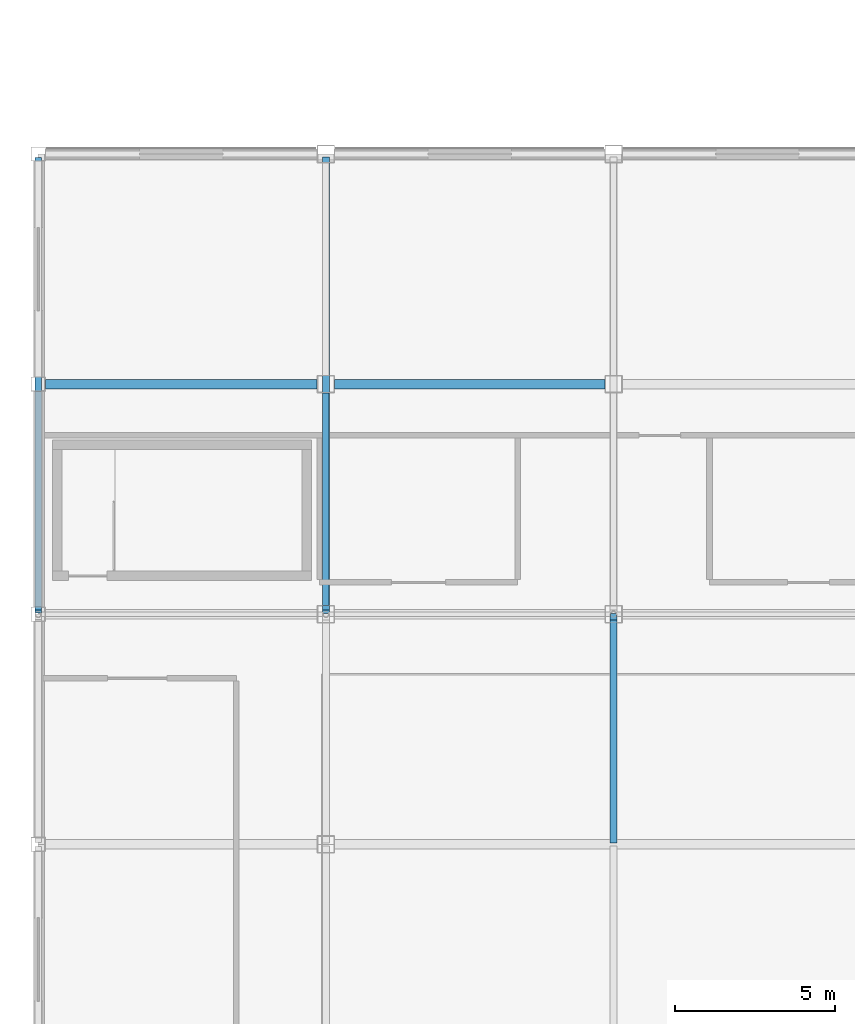
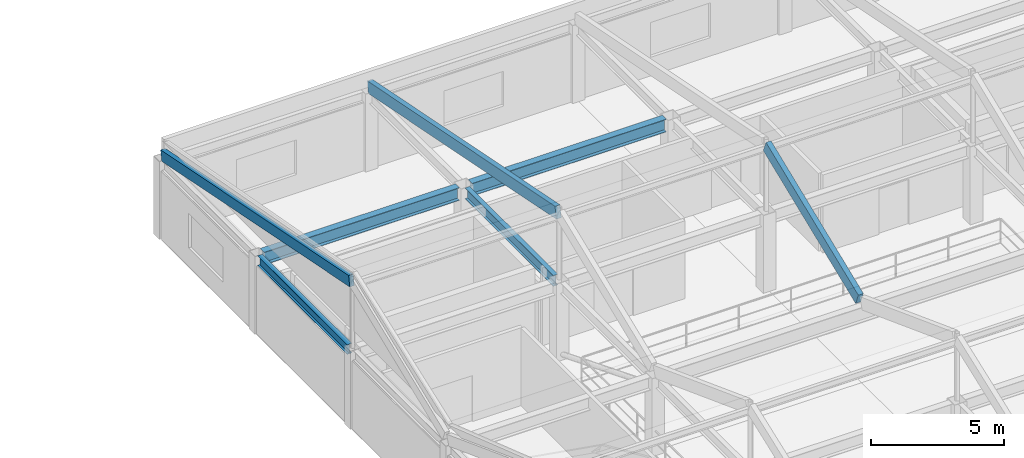
# One storey, part 18 of 113: 4 beams, 3 members.
"""IFC4 building model written with IfcOpenShell, lengths in metres."""

from ifc_helpers import new_model, si_unit, direction, frame, origin, origin_2d, place, context, subcontext, project, spatial, rectangle, i_section, extrude, material, material_profile, profile_set, type_object, element, save


model = new_model("IFC4")

# Units and contexts
model_context = context("Model", 3, precision=1e-05, world=origin(), true_north=direction((0.0, 1.0)))
body_context = subcontext(model_context, "Body", "Model", "MODEL_VIEW")
ifc_project = project(units=[si_unit("LENGTHUNIT", "METRE"), si_unit("AREAUNIT", "SQUARE_METRE"), si_unit("VOLUMEUNIT", "CUBIC_METRE"), si_unit("PLANEANGLEUNIT", "RADIAN"), si_unit("MASSUNIT", "GRAM", prefix="KILO")], contexts=[model_context])

# Site, building, storey
site_placement = place(None, origin())
site = spatial("IfcSite", under=ifc_project, at=site_placement, CompositionType="ELEMENT")
building_placement = place(site_placement, origin())
building = spatial("IfcBuilding", under=site, at=building_placement, Name="Kazanami Central Library", CompositionType="ELEMENT")
storey_placement = place(building_placement, frame((0.0, 0.0, 8.800048828125)))
storey = spatial("IfcBuildingStorey", under=building, at=storey_placement, Name="L03", CompositionType="ELEMENT", Elevation=8.800048828125)

# Beams
ifc_material_1 = material(Name="Steel SN490B (325 MPa)", Category="steel")
ifc_material_profile_1 = material_profile(ifc_material_1, i_section(OverallWidth=0.300048828125, OverallDepth=0.587890625, WebThickness=0.011962890625, FlangeThickness=0.02001953125, at=origin_2d()), Name="H-588x300x12x20")
ifc_profile_set_1 = profile_set([ifc_material_profile_1], Name="Steel SN490B (325 MPa)")
beam_type_1 = type_object("IfcBeamType", Name="BM-G-X2", PredefinedType="BEAM", material=ifc_profile_set_1)
beam_1_placement = place(storey_placement, frame((0.222900390625, 28.800048828125, 3.285888671875), z_axis=(1.0, 0.0, 0.0), x_axis=(0.0, 1.0, 0.0)))
element("IfcBeam", 1, at=beam_1_placement, inside=storey, type_object=beam_type_1, Name="Girder G-X2 L03 E/1-2", PredefinedType="BEAM", context=body_context, shape_type="SweptSolid", body=[
    extrude(i_section(OverallWidth=0.300048828125, OverallDepth=0.587890625, WebThickness=0.011962890625, FlangeThickness=0.02001953125, at=origin_2d()), origin(), (0.0, 0.0, 1.0), 8.504150390625),
])
beam_2_placement = place(storey_placement, frame((9.27294921875, 28.800048828125, 3.285888671875), z_axis=(1.0, 0.0, 0.0), x_axis=(0.0, 1.0, 0.0)))
element("IfcBeam", 2, at=beam_2_placement, inside=storey, type_object=beam_type_1, Name="Girder G-X2 L03 E/2-3", PredefinedType="BEAM", context=body_context, shape_type="SweptSolid", body=[
    extrude(i_section(OverallWidth=0.300048828125, OverallDepth=0.587890625, WebThickness=0.011962890625, FlangeThickness=0.02001953125, at=origin_2d()), origin(), (0.0, 0.0, 1.0), 8.4541015625),
])
ifc_material_profile_2 = material_profile(ifc_material_1, i_section(OverallWidth=0.199951171875, OverallDepth=0.5, WebThickness=0.010009765625, FlangeThickness=0.01611328125, at=origin_2d()), Name="H-500x200x10x16")
ifc_profile_set_2 = profile_set([ifc_material_profile_2], Name="Steel SN490B (325 MPa)")
beam_type_2 = type_object("IfcBeamType", Name="BM-G-Y2", PredefinedType="BEAM", material=ifc_profile_set_2)
beam_3_placement = place(storey_placement, frame((9.0, 21.873046875, 3.329833984375), z_axis=(0.0, 1.0, 0.0), x_axis=(-1.0, 0.0, 0.0)))
element("IfcBeam", 3, at=beam_3_placement, inside=storey, type_object=beam_type_2, Name="Girder G-Y2 L03 2/D-E", PredefinedType="BEAM", context=body_context, shape_type="SweptSolid", body=[
    extrude(i_section(OverallWidth=0.199951171875, OverallDepth=0.5, WebThickness=0.010009765625, FlangeThickness=0.01611328125, at=origin_2d()), origin(), (0.0, 0.0, 1.0), 6.654052734375),
])
ifc_material_profile_3 = material_profile(ifc_material_1, i_section(OverallWidth=0.199951171875, OverallDepth=0.449951171875, WebThickness=0.009033203125, FlangeThickness=0.013916015625, at=origin_2d()), Name="H-450x200x9x14")
ifc_profile_set_3 = profile_set([ifc_material_profile_3], Name="Steel SN490B (325 MPa)")
beam_type_3 = type_object("IfcBeamType", Name="BM-SP-2", PredefinedType="SPANDREL", material=ifc_profile_set_3)
beam_4_placement = place(storey_placement, frame((0.0, 21.822998046875, 3.35498046875), z_axis=(0.0, 1.0, 0.0), x_axis=(-1.0, 0.0, 0.0)))
element("IfcBeam", 4, at=beam_4_placement, inside=storey, type_object=beam_type_3, Name="Girder SP-2 L03 1/D-E", PredefinedType="SPANDREL", context=body_context, shape_type="SweptSolid", body=[
    extrude(i_section(OverallWidth=0.199951171875, OverallDepth=0.449951171875, WebThickness=0.009033203125, FlangeThickness=0.013916015625, at=origin_2d()), origin(), (0.0, 0.0, 1.0), 6.75390625),
])

# Members
ifc_material_2 = material(Name="Glulam GL28h (28 MPa)", Category="wood")
ifc_material_profile_4 = material_profile(ifc_material_2, rectangle(XDim=0.219970703125, YDim=0.5400390625, at=origin_2d()), Name="GL28h-220x540")
ifc_profile_set_4 = profile_set([ifc_material_profile_4], Name="Glulam GL28h (28 MPa)")
member_type_1 = type_object("IfcMemberType", Name="MEM-GL-01", PredefinedType="RAFTER", material=ifc_profile_set_4)
member_1_placement = place(storey_placement, frame((9.0, 35.85009765625, 3.780029296875), z_axis=(0.0, -0.980901753573, 0.194503855583), x_axis=(1.0, 0.0, 0.0)))
element("IfcMember", 5, at=member_1_placement, inside=storey, type_object=member_type_1, Name="Glulam Timber Shell Rafter GL-01 FOLD-L03-V3-N Grid 2 North", PredefinedType="RAFTER", context=body_context, shape_type="SweptSolid", body=[
    extrude(rectangle(XDim=0.219970703125, YDim=0.5400390625, at=origin_2d()), origin(), (0.0, 0.0, 1.0), 14.446044921875),
])
member_2_placement = place(storey_placement, frame((18.0, 14.550048828125, 3.780029296875), z_axis=(0.0, 0.927471818786, 0.373893066742), x_axis=(-1.0, 0.0, 0.0)))
element("IfcMember", 6, at=member_2_placement, inside=storey, type_object=member_type_1, Name="Glulam Timber Shell Rafter GL-01 FOLD-L03-V3-N Grid 3 South", PredefinedType="RAFTER", context=body_context, shape_type="SweptSolid", body=[
    extrude(rectangle(XDim=0.219970703125, YDim=0.5400390625, at=origin_2d()), origin(), (0.0, 0.0, 1.0), 7.51513671875),
])
ifc_material_profile_5 = material_profile(ifc_material_2, rectangle(XDim=0.199951171875, YDim=0.47998046875, at=origin_2d()), Name="GL28h-200x480")
ifc_profile_set_5 = profile_set([ifc_material_profile_5], Name="Glulam GL28h (28 MPa)")
member_type_2 = type_object("IfcMemberType", Name="MEM-GL-02", PredefinedType="RAFTER", material=ifc_profile_set_5)
member_3_placement = place(storey_placement, frame((0.0, 35.85009765625, 3.780029296875), z_axis=(0.0, -0.980901753573, 0.194503855583), x_axis=(1.0, 0.0, 0.0)))
element("IfcMember", 7, at=member_3_placement, inside=storey, type_object=member_type_2, Name="Glulam Timber Shell Rafter GL-02 FOLD-L03-V3-N Grid 1 North", PredefinedType="RAFTER", context=body_context, shape_type="SweptSolid", body=[
    extrude(rectangle(XDim=0.199951171875, YDim=0.47998046875, at=origin_2d()), origin(), (0.0, 0.0, 1.0), 14.446044921875),
])

save(model, "model.ifc")
